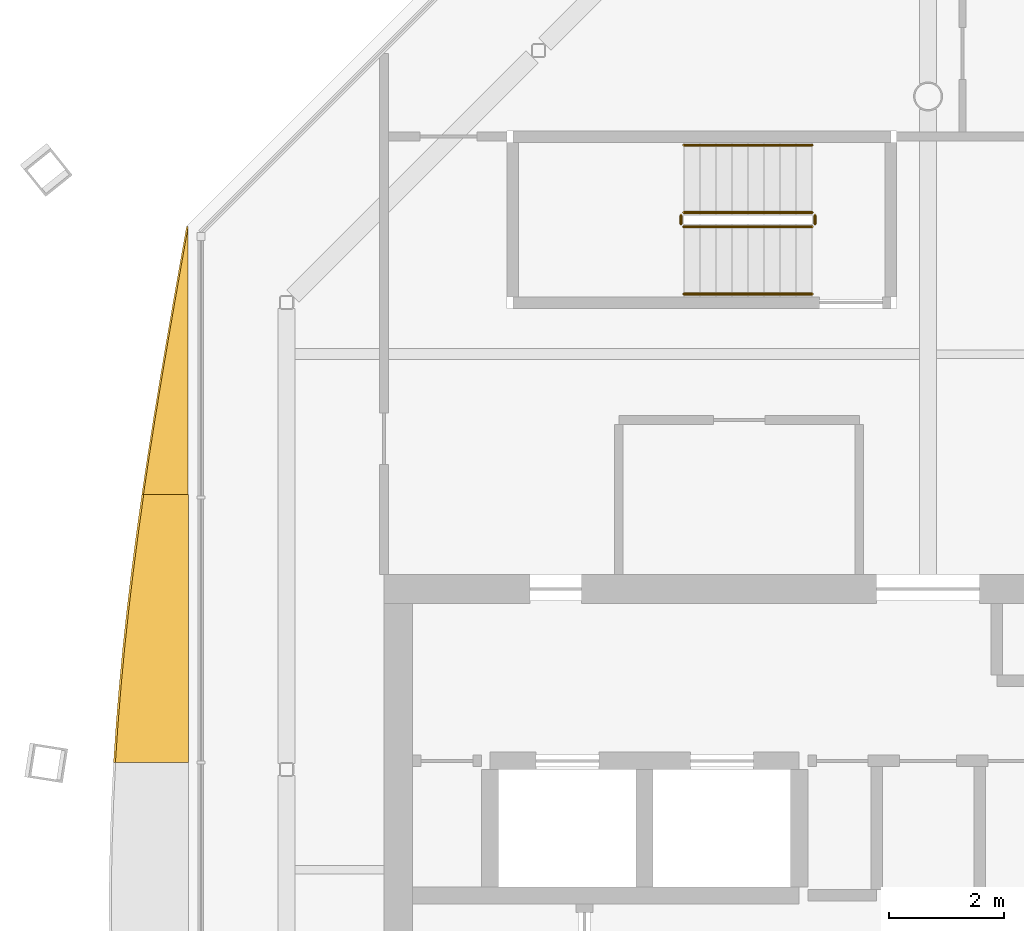
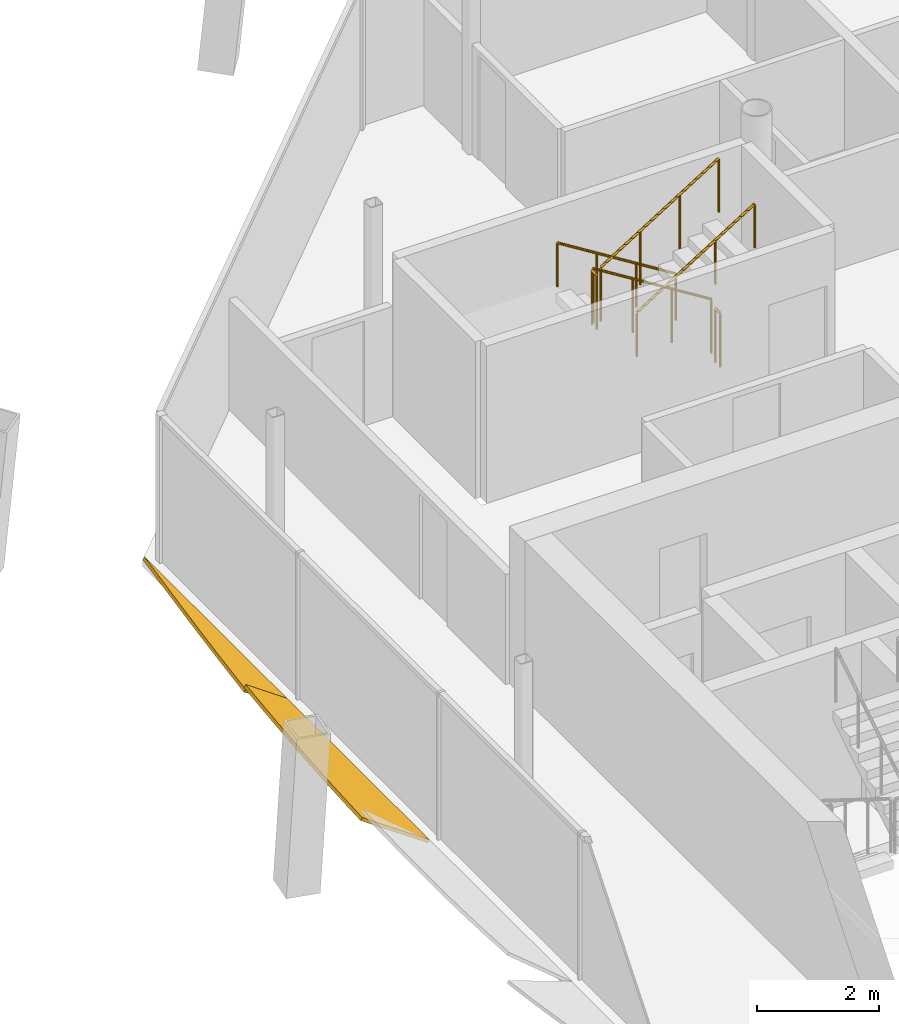
# One storey, part 12 of 13: 6 railings, 2 shading devices.
"""IFC4 building model written with IfcOpenShell, lengths in metres."""

import ifcopenshell
import ifcopenshell.guid

model = None  # the IFC model being written
_history = None  # IfcOwnerHistory: only IFC2X3 demands one
_inside = {}  # id of a spatial element -> (the spatial element, [elements in it])
_under = {}  # id of a project, library or spatial element -> (it, [spatial elements below it])
_declared = {}  # id of a project -> (the project, [libraries it declares])
_typed = {}  # id of a type object -> (the type object, [elements of that type])
_made_of = {}  # id of a material, layer set ... -> (it, [elements and type objects made of it])


def new_model(schema):
    """Start an empty IFC model of exactly this schema.

    Asked for "IFC4X3", IfcOpenShell would pick the latest addendum, in which some entities
    have other attributes; the version numbers below select the first issue.
    IFC2X3 requires an IfcOwnerHistory on every rooted entity: one is made here for all.
    """
    global model, _history
    if schema == "IFC4X3":
        model = ifcopenshell.file(schema_version=(4, 3, 0, 0))
    else:
        model = ifcopenshell.file(schema=schema)
    _inside.clear()
    _under.clear()
    _declared.clear()
    _typed.clear()
    _made_of.clear()
    _history = None
    if model.schema == "IFC2X3":
        org = make("IfcOrganization", Name="unknown")
        user = make(
            "IfcPersonAndOrganization",
            ThePerson=make("IfcPerson", FamilyName="unknown"),
            TheOrganization=org,
        )
        app = make(
            "IfcApplication",
            ApplicationDeveloper=org,
            Version="unknown",
            ApplicationFullName="unknown",
            ApplicationIdentifier="unknown",
        )
        _history = make(
            "IfcOwnerHistory",
            OwningUser=user,
            OwningApplication=app,
            ChangeAction="ADDED",
            CreationDate=0,
        )
    return model


def make(cls, **values):
    """One entity of the class cls with the attributes given. An attribute that is None is left unset."""
    return model.create_entity(
        cls, **{name: value for name, value in values.items() if value is not None}
    )


def rooted(cls, **values):
    """An entity with a GlobalId (a new one), such as an element, a storey or a relation."""
    return make(cls, GlobalId=ifcopenshell.guid.new(), OwnerHistory=_history, **values)


def si_unit(unit_type, name, prefix=None):
    """IfcSIUnit, for example si_unit("LENGTHUNIT", "METRE", prefix="MILLI")."""
    return make("IfcSIUnit", UnitType=unit_type, Prefix=prefix, Name=name)


def assignment(units):
    """IfcUnitAssignment: the units of a project."""
    return None if units is None else make("IfcUnitAssignment", Units=units)


def point(xyz):
    """IfcCartesianPoint."""
    return None if xyz is None else make("IfcCartesianPoint", Coordinates=xyz)


def direction(xyz):
    """IfcDirection."""
    return None if xyz is None else make("IfcDirection", DirectionRatios=xyz)


def frame(location, z_axis=None, x_axis=None):
    """IfcAxis2Placement3D, a coordinate frame: its origin and axes. An axis left out is left unset."""
    return make(
        "IfcAxis2Placement3D",
        Location=point(location),
        Axis=direction(z_axis),
        RefDirection=direction(x_axis),
    )


def frame_2d(location, x_axis=None):
    """IfcAxis2Placement2D, a coordinate frame in the plane: its origin and x axis."""
    return make(
        "IfcAxis2Placement2D", Location=point(location), RefDirection=direction(x_axis)
    )


def origin():
    """The frame at (0, 0, 0) with its axes left unset."""
    return frame((0.0, 0.0, 0.0))


def origin_2d():
    """The frame at (0, 0) in the plane with its x axis left unset."""
    return frame_2d((0.0, 0.0))


def place(relative_to, where):
    """IfcLocalPlacement: puts the frame where relative to a parent placement (None: the world)."""
    return make(
        "IfcLocalPlacement", PlacementRelTo=relative_to, RelativePlacement=where
    )


def context(
    kind, dimensions, precision=None, world=None, true_north=None, identifier=None
):
    """IfcGeometricRepresentationContext, for example the 3D "Model" context."""
    return make(
        "IfcGeometricRepresentationContext",
        ContextIdentifier=identifier,
        ContextType=kind,
        CoordinateSpaceDimension=dimensions,
        Precision=precision,
        WorldCoordinateSystem=world,
        TrueNorth=true_north,
    )


def subcontext(parent, identifier, kind, view, scale=None):
    """IfcGeometricRepresentationSubContext, for example "Body" below "Model"."""
    return make(
        "IfcGeometricRepresentationSubContext",
        ContextIdentifier=identifier,
        ContextType=kind,
        ParentContext=parent,
        TargetScale=scale,
        TargetView=view,
    )


def project(units=None, contexts=None):
    """IfcProject with its units and contexts."""
    return rooted(
        "IfcProject",
        Name="project",
        RepresentationContexts=contexts,
        UnitsInContext=assignment(units),
    )


def spatial(cls, under=None, at=None, **own):
    """A site, building, storey or space (cls), placed at a placement, below another one or the project."""
    s = rooted(cls, ObjectPlacement=at, **own)
    if under is not None:
        _under.setdefault(under.id(), (under, []))[1].append(s)
    return s


def polyline(points):
    """IfcPolyline through the points."""
    return make("IfcPolyline", Points=[point(p) for p in points])


def profile(cls, at=None, kind="AREA", **sizes):
    """A parametric profile (cls). Its sizes go by their IFC names, for example OverallWidth=200.0."""
    return make(cls, ProfileType=kind, Position=at, **sizes)


def circle(**sizes):
    """IfcCircleProfileDef."""
    return profile("IfcCircleProfileDef", **sizes)


def outline(outer, holes=None, kind="AREA"):
    """IfcArbitraryClosedProfileDef: a profile drawn as a closed curve; with holes, ...WithVoids."""
    if holes is None:
        return make("IfcArbitraryClosedProfileDef", ProfileType=kind, OuterCurve=outer)
    return make(
        "IfcArbitraryProfileDefWithVoids",
        ProfileType=kind,
        OuterCurve=outer,
        InnerCurves=holes,
    )


def extrude(swept, where, along, depth):
    """IfcExtrudedAreaSolid: the profile swept, set in the frame where, extruded along a direction by depth."""
    return make(
        "IfcExtrudedAreaSolid",
        SweptArea=swept,
        Position=where,
        ExtrudedDirection=direction(along),
        Depth=depth,
    )


def shape(context_of_items, identifier, shape_type, items):
    """IfcShapeRepresentation: the items that make up one representation, for example the "Body"."""
    return make(
        "IfcShapeRepresentation",
        ContextOfItems=context_of_items,
        RepresentationIdentifier=identifier,
        RepresentationType=shape_type,
        Items=items,
    )


def material(Name=None, Category=None):
    """IfcMaterial."""
    return make("IfcMaterial", Name=Name, Category=Category)


def layer(
    of_material, thickness, ventilated=None, Name=None, Category=None, Priority=None
):
    """IfcMaterialLayer: one layer of a wall or slab, of a material (None: an air gap)."""
    return make(
        "IfcMaterialLayer",
        Material=of_material,
        LayerThickness=thickness,
        IsVentilated=ventilated,
        Name=Name,
        Category=Category,
        Priority=Priority,
    )


def layer_set(layers, Name=None):
    """IfcMaterialLayerSet."""
    return make("IfcMaterialLayerSet", MaterialLayers=layers, LayerSetName=Name)


def made_of(thing, what):
    """Note that an element or type object is made of a material, layer set ...; save() writes the relation."""
    if what is not None:
        _made_of.setdefault(what.id(), (what, []))[1].append(thing)
    return thing


def type_object(cls, material=None, **own):
    """A type object (cls), such as IfcWallType, which elements share."""
    return made_of(rooted(cls, **own), material)


def element(
    cls,
    number,
    at=None,
    inside=None,
    cuts=None,
    type_object=None,
    material=None,
    context=None,
    identifier="Body",
    shape_type=None,
    held_by="IfcProductDefinitionShape",
    body=None,
    shapes=None,
    **own,
):
    """One element of the class cls, such as IfcWall. Its Tag is "e" and its number.

    at: its placement. inside: the storey or other place that contains it. cuts: it is an
    opening in that element (IfcRelVoidsElement). A single representation is given by context,
    identifier, shape_type and body (its items); several are given by shapes. held_by: the class
    of the entity that holds the representations. save() writes the other relations.
    """
    e = rooted(cls, Tag="e%d" % number, ObjectPlacement=at, **own)
    if body is not None:
        shapes = [shape(context, identifier, shape_type, body)]
    if shapes is not None:
        e.Representation = make(held_by, Representations=shapes)
    if inside is not None:
        _inside.setdefault(inside.id(), (inside, []))[1].append(e)
    if cuts is not None:
        rooted(
            "IfcRelVoidsElement", RelatingBuildingElement=cuts, RelatedOpeningElement=e
        )
    if type_object is not None:
        _typed.setdefault(type_object.id(), (type_object, []))[1].append(e)
    return made_of(e, material)


def aggregate(whole, parts):
    """IfcRelAggregates: a whole, such as a stair, and the parts it consists of."""
    return rooted("IfcRelAggregates", RelatingObject=whole, RelatedObjects=parts)


def save(model, path):
    """Write the relations noted so far, then the file.

    IfcRelAggregates (storeys below a building ...), IfcRelContainedInSpatialStructure (elements
    in a storey), IfcRelDefinesByType, IfcRelAssociatesMaterial and IfcRelDeclares: one each for
    every whole, place, type object, material and project.
    """
    for whole, parts in _under.values():
        aggregate(whole, parts)
    for where, things in _inside.values():
        rooted(
            "IfcRelContainedInSpatialStructure",
            RelatedElements=things,
            RelatingStructure=where,
        )
    for kind, things in _typed.values():
        rooted("IfcRelDefinesByType", RelatedObjects=things, RelatingType=kind)
    for what, things in _made_of.values():
        rooted("IfcRelAssociatesMaterial", RelatedObjects=things, RelatingMaterial=what)
    for by, libraries in _declared.values():
        rooted("IfcRelDeclares", RelatingContext=by, RelatedDefinitions=libraries)
    model.write(path)


model = new_model("IFC4")

# Units and contexts
model_context = context("Model", 3, precision=1e-05, world=origin(), true_north=direction((0.0, 1.0)))
body_context = subcontext(model_context, "Body", "Model", "MODEL_VIEW")
ifc_project = project(units=[si_unit("LENGTHUNIT", "METRE"), si_unit("AREAUNIT", "SQUARE_METRE"), si_unit("VOLUMEUNIT", "CUBIC_METRE"), si_unit("PLANEANGLEUNIT", "RADIAN"), si_unit("MASSUNIT", "GRAM", prefix="KILO")], contexts=[model_context])

# Site, building, storey
site_placement = place(None, origin())
site = spatial("IfcSite", under=ifc_project, at=site_placement, CompositionType="ELEMENT")
building_placement = place(site_placement, origin())
building = spatial("IfcBuilding", under=site, at=building_placement, Name="Tskaro Facet Tower", CompositionType="ELEMENT")
storey_placement = place(building_placement, frame((0.0, 0.0, 284.699951171875)))
storey = spatial("IfcBuildingStorey", under=building, at=storey_placement, Name="L76", CompositionType="ELEMENT", Elevation=284.699951171875)

# Shading devices
ifc_material_1 = material(Name="Bronze anodised aluminium 6063-T6", Category="aluminium")
ifc_layer = layer(ifc_material_1, 0.06005859375, Name="Bronze anodised aluminium 6063-T6")
ifc_layer_set = layer_set([ifc_layer], Name="Bronze anodised aluminium 6063-T6")
shading_device_type = type_object("IfcShadingDeviceType", Name="Bronze sun blade (FN1)", PredefinedType="USERDEFINED", material=ifc_layer_set)
shading_device_1_placement = place(storey_placement, frame((-12.91796875, 6.72998046875, 0.052001953125), z_axis=(0.500025286873, -2.1160585e-05, 0.866010803651), x_axis=(-1.0580828e-05, -0.999999999776, -1.8325295e-05)))
element("IfcShadingDevice", 1, at=shading_device_1_placement, inside=storey, type_object=shading_device_type, Name="Fin blade west 1", ObjectType="FIN", PredefinedType="USERDEFINED", context=body_context, shape_type="SweptSolid", body=[
    extrude(outline(polyline([(0.0, 0.0), (4.680175780202179, 0.0), (4.680175782397402, -0.9015012769700532), (4.011718748032988, -0.7860055745030742), (3.3430175769575587, -0.6644828809199963), (2.674316404123843, -0.5379337109357823), (2.005859373432465, -0.407114426293235), (1.3371582050184772, -0.27311489364014446), (0.6687011725688123, -0.13726913259646115), (0.0, 0.0)])), origin(), (0.0, 0.0, -1.0), 0.06005859375),
])
shading_device_2_placement = place(storey_placement, frame((-12.91357421875, 2.0498046875, 0.04931640625), z_axis=(0.573491266954, 4.803926e-06, 0.819211673931), x_axis=(2.75501e-06, -0.999999999988, 3.935433e-06)))
element("IfcShadingDevice", 2, at=shading_device_2_placement, inside=storey, type_object=shading_device_type, Name="Fin blade west 2", ObjectType="FIN", PredefinedType="USERDEFINED", context=body_context, shape_type="SweptSolid", body=[
    extrude(outline(polyline([(0.0, 0.0), (4.680419921820993, 1.9822349404067617e-21), (4.6804199221335345, -1.5563006429013053), (4.011718749698971, -1.5019785220936697), (3.3430175782272262, -1.4358759493413211), (2.6745605466136606, -1.3589329485609394), (2.0058593755298757, -1.2714295447852202), (1.3371582029104294, -1.174165749414496), (0.6687011715901068, -1.067761602847893), (2.2268147123155575e-10, -0.9530971386683558), (0.0, 0.0)])), origin(), (0.0, 0.0, -1.0), 0.06005859375),
])

# Railings
ifc_material_2 = material(Name="Stainless steel", Category="steel")
railing_type_1 = type_object("IfcRailingType", Name="RL-GUARD-1100", PredefinedType="GUARDRAIL", material=ifc_material_2)
railing_1_placement = place(storey_placement, frame((-2.02490234375, 6.97509765625, 0.175048828125)))
element("IfcRailing", 3, at=railing_1_placement, inside=storey, type_object=railing_type_1, Name="L76 ST-3 stair guard 1", PredefinedType="GUARDRAIL", context=body_context, shape_type="SweptSolid", body=[
    extrude(circle(Radius=0.02392578125, at=origin_2d()), frame((0.0, 0.0, 1.076171875), z_axis=(-0.848013881152, 0.0, 0.529974015752), x_axis=(0.0, -1.0, 0.0)), (0.0, 0.0, 1.0), 2.641357421875),
    extrude(circle(Radius=0.02099609375, at=origin_2d()), origin(), (0.0, 0.0, 1.0), 1.052001953125),
    extrude(circle(Radius=0.02099609375, at=origin_2d()), frame((-0.74658203125, 0.0, 0.466552734375)), (0.0, 0.0, 1.0), 1.052001953125),
    extrude(circle(Radius=0.02099609375, at=origin_2d()), frame((-1.493408203125, 0.0, 0.933349609375)), (0.0, 0.0, 1.0), 1.052001953125),
    extrude(circle(Radius=0.02099609375, at=origin_2d()), frame((-2.239990234375, 0.0, 1.39990234375)), (0.0, 0.0, 1.0), 1.052001953125),
])
railing_2_placement = place(storey_placement, frame((-4.31494140625, 6.925048828125, 1.574951171875)))
element("IfcRailing", 4, at=railing_2_placement, inside=storey, type_object=railing_type_1, Name="L76 ST-3 stair guard 2", PredefinedType="GUARDRAIL", context=body_context, shape_type="SweptSolid", body=[
    extrude(circle(Radius=0.02392578125, at=origin_2d()), frame((0.0, 0.0, 1.076171875), z_axis=(0.0, -1.0, 0.0), x_axis=(1.0, 0.0, 0.0)), (0.0, 0.0, 1.0), 0.150146484375),
    extrude(circle(Radius=0.02099609375, at=origin_2d()), origin(), (0.0, 0.0, 1.0), 1.052001953125),
    extrude(circle(Radius=0.02099609375, at=origin_2d()), frame((0.0, -0.150146484375, 0.0)), (0.0, 0.0, 1.0), 1.052001953125),
])
railing_3_placement = place(storey_placement, frame((-4.264892578125, 6.72509765625, 1.75)))
element("IfcRailing", 5, at=railing_3_placement, inside=storey, type_object=railing_type_1, Name="L76 ST-3 stair guard 3", PredefinedType="GUARDRAIL", context=body_context, shape_type="SweptSolid", body=[
    extrude(circle(Radius=0.02392578125, at=origin_2d()), frame((0.0, 0.0, 1.076171875), z_axis=(0.847972341737, 0.0, 0.530040477369), x_axis=(0.0, 1.0, 0.0)), (0.0, 0.0, 1.0), 2.6416015625),
    extrude(circle(Radius=0.02099609375, at=origin_2d()), origin(), (0.0, 0.0, 1.0), 1.052001953125),
    extrude(circle(Radius=0.02099609375, at=origin_2d()), frame((0.74658203125, 0.0, 0.466796875)), (0.0, 0.0, 1.0), 1.052001953125),
    extrude(circle(Radius=0.02099609375, at=origin_2d()), frame((1.493408203125, 0.0, 0.933349609375)), (0.0, 0.0, 1.0), 1.052001953125),
    extrude(circle(Radius=0.02099609375, at=origin_2d()), frame((2.239990234375, 0.0, 1.400146484375)), (0.0, 0.0, 1.0), 1.052001953125),
])
railing_4_placement = place(storey_placement, frame((-1.97509765625, 6.925048828125, 0.0)))
element("IfcRailing", 6, at=railing_4_placement, inside=storey, type_object=railing_type_1, Name="L76 ST-3 stair guard 4", PredefinedType="GUARDRAIL", context=body_context, shape_type="SweptSolid", body=[
    extrude(circle(Radius=0.02392578125, at=origin_2d()), frame((0.0, 0.0, 1.076171875), z_axis=(0.0, -1.0, 0.0), x_axis=(1.0, 0.0, 0.0)), (0.0, 0.0, 1.0), 0.150146484375),
    extrude(circle(Radius=0.02099609375, at=origin_2d()), origin(), (0.0, 0.0, 1.0), 1.052001953125),
    extrude(circle(Radius=0.02099609375, at=origin_2d()), frame((0.0, -0.150146484375, 0.0)), (0.0, 0.0, 1.0), 1.052001953125),
])
railing_type_2 = type_object("IfcRailingType", Name="RL-HANDRAIL-900", PredefinedType="HANDRAIL", material=ifc_material_2)
railing_5_placement = place(storey_placement, frame((-2.02490234375, 8.14990234375, 0.175048828125)))
element("IfcRailing", 7, at=railing_5_placement, inside=storey, type_object=railing_type_2, Name="L76 ST-3 stair handrail 1", PredefinedType="HANDRAIL", context=body_context, shape_type="SweptSolid", body=[
    extrude(circle(Radius=0.02392578125, at=origin_2d()), frame((0.0, 0.0, 0.8759765625), z_axis=(-0.848013881152, 0.0, 0.529974015752), x_axis=(0.0, -1.0, 0.0)), (0.0, 0.0, 1.0), 2.641357421875),
    extrude(circle(Radius=0.02099609375, at=origin_2d()), origin(), (0.0, 0.0, 1.0), 0.851806640625),
    extrude(circle(Radius=0.02099609375, at=origin_2d()), frame((-0.74658203125, 0.0, 0.466552734375)), (0.0, 0.0, 1.0), 0.851806640625),
    extrude(circle(Radius=0.02099609375, at=origin_2d()), frame((-1.493408203125, 0.0, 0.933349609375)), (0.0, 0.0, 1.0), 0.851806640625),
    extrude(circle(Radius=0.02099609375, at=origin_2d()), frame((-2.239990234375, 0.0, 1.39990234375)), (0.0, 0.0, 1.0), 0.851806640625),
])
railing_6_placement = place(storey_placement, frame((-4.264892578125, 5.550048828125, 1.75)))
element("IfcRailing", 8, at=railing_6_placement, inside=storey, type_object=railing_type_2, Name="L76 ST-3 stair handrail 2", PredefinedType="HANDRAIL", context=body_context, shape_type="SweptSolid", body=[
    extrude(circle(Radius=0.02392578125, at=origin_2d()), frame((0.0, 0.0, 0.8759765625), z_axis=(0.847972341737, 0.0, 0.530040477369), x_axis=(0.0, 1.0, 0.0)), (0.0, 0.0, 1.0), 2.6416015625),
    extrude(circle(Radius=0.02099609375, at=origin_2d()), origin(), (0.0, 0.0, 1.0), 0.851806640625),
    extrude(circle(Radius=0.02099609375, at=origin_2d()), frame((0.74658203125, 0.0, 0.466796875)), (0.0, 0.0, 1.0), 0.851806640625),
    extrude(circle(Radius=0.02099609375, at=origin_2d()), frame((1.493408203125, 0.0, 0.933349609375)), (0.0, 0.0, 1.0), 0.851806640625),
    extrude(circle(Radius=0.02099609375, at=origin_2d()), frame((2.239990234375, 0.0, 1.400146484375)), (0.0, 0.0, 1.0), 0.851806640625),
])

save(model, "model.ifc")
